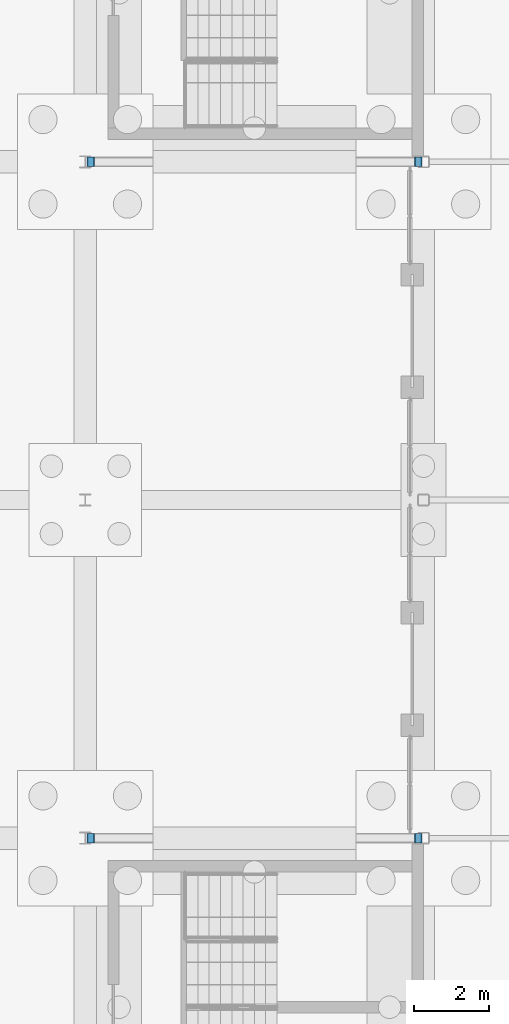
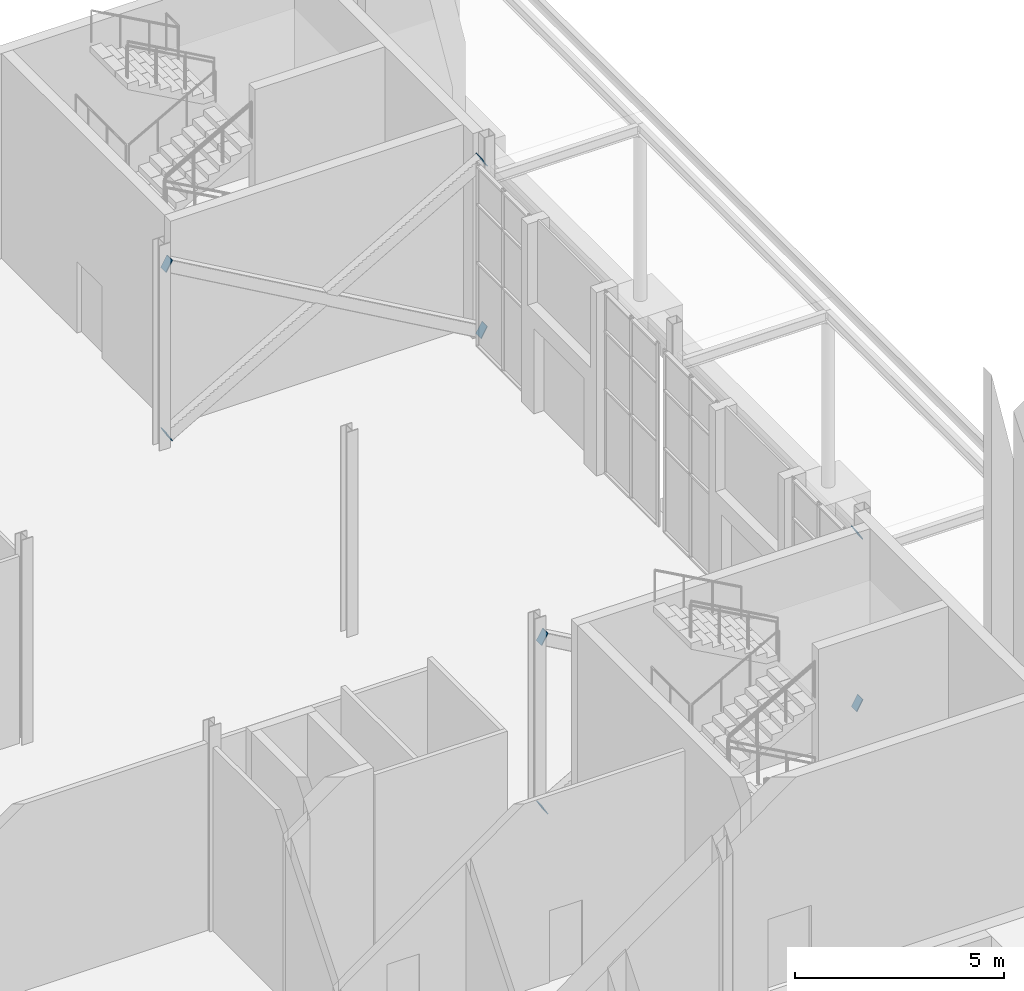
# One storey, part 128 of 139: 8 discrete accessories.
"""IFC4 building model written with IfcOpenShell, lengths in metres."""

from ifc_helpers import new_model, si_unit, direction, frame, origin, place, context, subcontext, project, spatial, polyline, outline, extrude, material, layer, layer_set, type_object, element, save


model = new_model("IFC4")

# Units and contexts
model_context = context("Model", 3, precision=1e-05, world=origin(), true_north=direction((0.0, 1.0)))
body_context = subcontext(model_context, "Body", "Model", "MODEL_VIEW")
ifc_project = project(units=[si_unit("LENGTHUNIT", "METRE"), si_unit("AREAUNIT", "SQUARE_METRE"), si_unit("VOLUMEUNIT", "CUBIC_METRE"), si_unit("PLANEANGLEUNIT", "RADIAN"), si_unit("MASSUNIT", "GRAM", prefix="KILO")], contexts=[model_context])

# Site, building, storey
site_placement = place(None, origin())
site = spatial("IfcSite", under=ifc_project, at=site_placement, CompositionType="ELEMENT")
building_placement = place(site_placement, origin())
building = spatial("IfcBuilding", under=site, at=building_placement, Name="Shorebreak Coast Museum", CompositionType="ELEMENT")
storey_placement = place(building_placement, origin())
storey = spatial("IfcBuildingStorey", under=building, at=storey_placement, Name="L00", CompositionType="ELEMENT", Elevation=0.0)

# Discrete accessories
ifc_material = material(Name="Steel Grade 300", Category="steel")
ifc_layer = layer(ifc_material, 0.02490234375)
ifc_layer_set = layer_set([ifc_layer], Name="Steel Grade 300")
discrete_accessory_type = type_object("IfcDiscreteAccessoryType", Name="End plate 250 x 350 x 25", PredefinedType="BRACKET", material=ifc_layer_set)
discrete_accessory_1_placement = place(storey_placement, frame((162.241455078125, 62.875, 0.148193359375), z_axis=(0.86789946656, 0.0, 0.496739887613), x_axis=(0.0, 1.0, 0.0)))
element("IfcDiscreteAccessory", 1, at=discrete_accessory_1_placement, inside=storey, type_object=discrete_accessory_type, Name="End plate X-brace bay 07 L00 diagonal 1 end 1", PredefinedType="BRACKET", context=body_context, shape_type="SweptSolid", body=[
    extrude(outline(polyline([(0.0, 0.0), (0.25, 0.0), (0.25, 0.34993792392100703), (0.0, 0.34993792392100703), (0.0, 0.0)])), origin(), (0.0, 0.0, -1.0), 0.02490234375),
])
discrete_accessory_2_placement = place(storey_placement, frame((170.95849609375, 62.875, 5.135498046875), z_axis=(0.868200190556, 0.0, 0.496214096049), x_axis=(0.0, 1.0, 0.0)))
element("IfcDiscreteAccessory", 2, at=discrete_accessory_2_placement, inside=storey, type_object=discrete_accessory_type, Name="End plate X-brace bay 07 L00 diagonal 1 end 2", PredefinedType="BRACKET", context=body_context, shape_type="SweptSolid", body=[
    extrude(outline(polyline([(0.0, 0.0), (0.25, 0.0), (0.25, 0.3498167137068055), (0.0, 0.3498167137068055), (0.0, 0.0)])), origin(), (0.0, 0.0, -1.0), 0.02490234375),
])
for number, where, z_axis, x_axis, name in (
    (3, (170.76318359375, 63.125, 0.148193359375), (-0.86789946656, 0.0, 0.496739887613), (0.0, -1.0, 0.0), "End plate X-brace bay 07 L00 diagonal 2 end 1"),
    (4, (162.0458984375, 63.125, 5.135498046875), (-0.86789946656, 0.0, 0.496739887613), (0.0, -1.0, 0.0), "End plate X-brace bay 07 L00 diagonal 2 end 2"),
    (5, (162.241455078125, 80.875, 0.148193359375), (0.86789946656, 0.0, 0.496739887613), (0.0, 1.0, 0.0), "End plate X-brace bay 08 L00 diagonal 1 end 1"),
):
    element("IfcDiscreteAccessory", number, at=place(storey_placement, frame(where, z_axis=z_axis, x_axis=x_axis)), inside=storey, type_object=discrete_accessory_type, Name=name, PredefinedType="BRACKET", context=body_context, shape_type="SweptSolid", body=[
        extrude(outline(polyline([(0.0, 0.0), (0.25, 0.0), (0.25, 0.34993792392100703), (0.0, 0.34993792392100703), (0.0, 0.0)])), origin(), (0.0, 0.0, -1.0), 0.02490234375),
    ])
discrete_accessory_3_placement = place(storey_placement, frame((170.95849609375, 80.875, 5.135498046875), z_axis=(0.868200190556, 0.0, 0.496214096049), x_axis=(0.0, 1.0, 0.0)))
element("IfcDiscreteAccessory", 6, at=discrete_accessory_3_placement, inside=storey, type_object=discrete_accessory_type, Name="End plate X-brace bay 08 L00 diagonal 1 end 2", PredefinedType="BRACKET", context=body_context, shape_type="SweptSolid", body=[
    extrude(outline(polyline([(0.0, 0.0), (0.25, 0.0), (0.25, 0.3498167137068055), (0.0, 0.3498167137068055), (0.0, 0.0)])), origin(), (0.0, 0.0, -1.0), 0.02490234375),
])
for number, where, z_axis, x_axis, name in (
    (7, (170.76318359375, 81.125, 0.148193359375), (-0.86789946656, 0.0, 0.496739887613), (0.0, -1.0, 0.0), "End plate X-brace bay 08 L00 diagonal 2 end 1"),
    (8, (162.0458984375, 81.125, 5.135498046875), (-0.86789946656, 0.0, 0.496739887613), (0.0, -1.0, 0.0), "End plate X-brace bay 08 L00 diagonal 2 end 2"),
):
    element("IfcDiscreteAccessory", number, at=place(storey_placement, frame(where, z_axis=z_axis, x_axis=x_axis)), inside=storey, type_object=discrete_accessory_type, Name=name, PredefinedType="BRACKET", context=body_context, shape_type="SweptSolid", body=[
        extrude(outline(polyline([(0.0, 0.0), (0.25, 0.0), (0.25, 0.34993792392100703), (0.0, 0.34993792392100703), (0.0, 0.0)])), origin(), (0.0, 0.0, -1.0), 0.02490234375),
    ])

save(model, "model.ifc")
